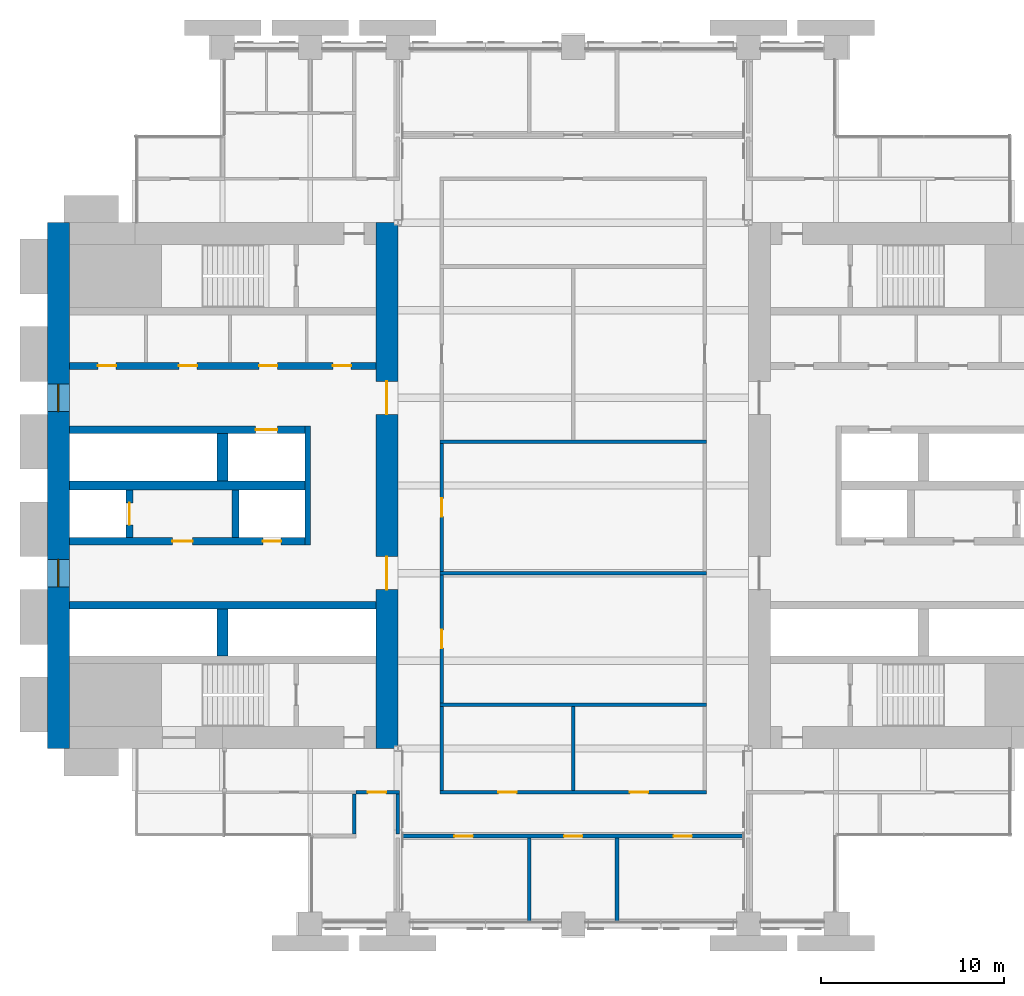
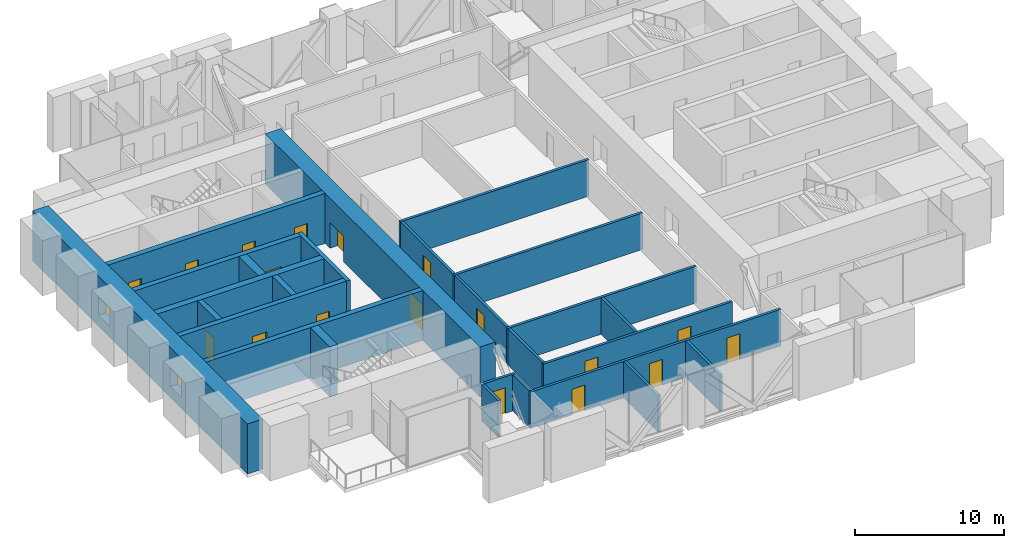
# One storey, part 11 of 15: 26 walls, 18 doors, 2 windows, 20 openings.
"""IFC4 building model written with IfcOpenShell, lengths in metres."""

from ifc_helpers import new_model, si_unit, direction, frame, frame_2d, origin, place, context, subcontext, project, spatial, rectangle, extrude, material, layer, layer_set, type_object, element, fill, save


model = new_model("IFC4")

# Units and contexts
model_context = context("Model", 3, precision=1e-05, world=origin(), true_north=direction((0.0, 1.0)))
body_context = subcontext(model_context, "Body", "Model", "MODEL_VIEW")
ifc_project = project(units=[si_unit("LENGTHUNIT", "METRE"), si_unit("AREAUNIT", "SQUARE_METRE"), si_unit("VOLUMEUNIT", "CUBIC_METRE"), si_unit("PLANEANGLEUNIT", "RADIAN"), si_unit("MASSUNIT", "GRAM", prefix="KILO")], contexts=[model_context])

# Site, building, storey
site_placement = place(None, origin())
site = spatial("IfcSite", under=ifc_project, at=site_placement, CompositionType="ELEMENT")
building_placement = place(site_placement, origin())
building = spatial("IfcBuilding", under=site, at=building_placement, Name="Baori Bourse Tower", CompositionType="ELEMENT")
storey_placement = place(building_placement, frame((0.0, 0.0, 87.0)))
storey = spatial("IfcBuildingStorey", under=building, at=storey_placement, Name="L19", CompositionType="ELEMENT", Elevation=87.0)

# Wall, openings, windows
ifc_material_1 = material(Name="Concrete f'c 70 MPa", Category="concrete")
ifc_layer_1 = layer(ifc_material_1, 1.199951171875)
ifc_layer_set_1 = layer_set([ifc_layer_1], Name="Core wall 1200 f'c 70")
wall_type_1 = type_object("IfcWallType", Name="Core wall 1200 f'c 70", PredefinedType="SHEAR", material=ifc_layer_set_1)
wall_1_placement = place(storey_placement, frame((0.60009765625, 9.60009765625, 0.0), z_axis=(0.0, 0.0, 1.0), x_axis=(0.0, 1.0, 0.0)))
wall_1 = element("IfcWall", 1, at=wall_1_placement, inside=storey, type_object=wall_type_1, Name="Core wall W01", PredefinedType="SHEAR", context=body_context, shape_type="SweptSolid", body=[
    extrude(rectangle(XDim=28.7998046875, YDim=1.199951171875, at=frame_2d((14.39990234375, 0.0))), origin(), (0.0, 0.0, 1.0), 4.10009765625),
])
opening_1_placement = place(wall_1_placement, frame((8.85009765625, 0.0, 0.89990234375)))
opening_1 = element("IfcOpeningElement", 2, at=opening_1_placement, cuts=wall_1, Name="Opening L19-KW101", PredefinedType="OPENING", context=body_context, shape_type="SweptSolid", body=[
    extrude(rectangle(XDim=1.5, YDim=1.5, at=frame_2d((0.75, 0.75))), frame((0.0, 0.60986328125, 0.0), z_axis=(0.0, -1.0, 0.0), x_axis=(1.0, 0.0, 0.0)), (0.0, 0.0, 1.0), 1.219970703125),
])
opening_2_placement = place(wall_1_placement, frame((18.449951171875, 0.0, 0.89990234375)))
opening_2 = element("IfcOpeningElement", 3, at=opening_2_placement, cuts=wall_1, Name="Opening L19-KW102", PredefinedType="OPENING", context=body_context, shape_type="SweptSolid", body=[
    extrude(rectangle(XDim=1.5, YDim=1.5, at=frame_2d((0.75, 0.75))), frame((0.0, 0.60986328125, 0.0), z_axis=(0.0, -1.0, 0.0), x_axis=(1.0, 0.0, 0.0)), (0.0, 0.0, 1.0), 1.219970703125),
])
ifc_material_2 = material(Name="Pale anodised aluminium", Category="aluminium")
window_type = type_object("IfcWindowType", Name="Lobby window 1500 x 1500", PartitioningType="SINGLE_PANEL", PredefinedType="WINDOW", material=ifc_material_2)
window_1_placement = place(opening_1_placement, origin())
window_1 = element("IfcWindow", 4, at=window_1_placement, inside=storey, type_object=window_type, Name="Outer wall window W L19 1", OverallHeight=1.5, OverallWidth=1.5, PartitioningType="SINGLE_PANEL", PredefinedType="WINDOW", context=body_context, shape_type="SweptSolid", body=[
    extrude(rectangle(XDim=1.5, YDim=1.5, at=frame_2d((0.75, 0.75))), frame((0.0, 0.030029296875, 0.0), z_axis=(0.0, -1.0, 0.0), x_axis=(1.0, 0.0, 0.0)), (0.0, 0.0, 1.0), 0.06005859375),
])
fill(opening_1, window_1)
window_2_placement = place(opening_2_placement, origin())
window_2 = element("IfcWindow", 5, at=window_2_placement, inside=storey, type_object=window_type, Name="Outer wall window W L19 2", OverallHeight=1.5, OverallWidth=1.5, PartitioningType="SINGLE_PANEL", PredefinedType="WINDOW", context=body_context, shape_type="SweptSolid", body=[
    extrude(rectangle(XDim=1.5, YDim=1.5, at=frame_2d((0.75, 0.75))), frame((0.0, 0.030029296875, 0.0), z_axis=(0.0, -1.0, 0.0), x_axis=(1.0, 0.0, 0.0)), (0.0, 0.0, 1.0), 0.06005859375),
])
fill(opening_2, window_2)

# Wall, openings, doors
wall_2_placement = place(storey_placement, frame((18.60009765625, 38.39990234375, 0.0), z_axis=(0.0, 0.0, 1.0), x_axis=(0.0, -1.0, 0.0)))
wall_2 = element("IfcWall", 6, at=wall_2_placement, inside=storey, type_object=wall_type_1, Name="Core wall W04", PredefinedType="SHEAR", context=body_context, shape_type="SweptSolid", body=[
    extrude(rectangle(XDim=28.7998046875, YDim=1.199951171875, at=frame_2d((14.39990234375, 0.0))), origin(), (0.0, 0.0, 1.0), 4.10009765625),
])
opening_3_placement = place(wall_2_placement, frame((18.300048828125, 0.0, 0.0)))
opening_3 = element("IfcOpeningElement", 7, at=opening_3_placement, cuts=wall_2, Name="Opening L19-D107", PredefinedType="OPENING", context=body_context, shape_type="SweptSolid", body=[
    extrude(rectangle(XDim=1.800048828125, YDim=2.10009765625, at=frame_2d((0.89990234375, 1.050048828125))), frame((0.0, 0.60986328125, 0.0), z_axis=(0.0, -1.0, 0.0), x_axis=(1.0, 0.0, 0.0)), (0.0, 0.0, 1.0), 1.219970703125),
])
opening_4_placement = place(wall_2_placement, frame((8.699951171875, 0.0, 0.0)))
opening_4 = element("IfcOpeningElement", 8, at=opening_4_placement, cuts=wall_2, Name="Opening L19-D108", PredefinedType="OPENING", context=body_context, shape_type="SweptSolid", body=[
    extrude(rectangle(XDim=1.800048828125, YDim=2.10009765625, at=frame_2d((0.89990234375, 1.050048828125))), frame((0.0, 0.60986328125, 0.0), z_axis=(0.0, -1.0, 0.0), x_axis=(1.0, 0.0, 0.0)), (0.0, 0.0, 1.0), 1.219970703125),
])
ifc_material_3 = material(Name="Painted steel door", Category="steel")
door_type_1 = type_object("IfcDoorType", Name="Core lobby door 1800", OperationType="DOUBLE_DOOR_SINGLE_SWING", PredefinedType="DOOR", material=ifc_material_3)
door_1_placement = place(opening_3_placement, origin())
door_1 = element("IfcDoor", 9, at=door_1_placement, inside=storey, type_object=door_type_1, Name="Lobby door W L19", OperationType="DOUBLE_DOOR_SINGLE_SWING", OverallHeight=2.10009765625, OverallWidth=1.800048828125, PredefinedType="DOOR", context=body_context, shape_type="SweptSolid", body=[
    extrude(rectangle(XDim=1.800048828125, YDim=2.10009765625, at=frame_2d((0.89990234375, 1.050048828125))), frame((0.0, 0.02490234375, 0.0), z_axis=(0.0, -1.0, 0.0), x_axis=(1.0, 0.0, 0.0)), (0.0, 0.0, 1.0), 0.050048828125),
])
fill(opening_3, door_1)
door_2_placement = place(opening_4_placement, origin())
door_2 = element("IfcDoor", 10, at=door_2_placement, inside=storey, type_object=door_type_1, Name="Lobby door W L19", OperationType="DOUBLE_DOOR_SINGLE_SWING", OverallHeight=2.10009765625, OverallWidth=1.800048828125, PredefinedType="DOOR", context=body_context, shape_type="SweptSolid", body=[
    extrude(rectangle(XDim=1.800048828125, YDim=2.10009765625, at=frame_2d((0.89990234375, 1.050048828125))), frame((0.0, 0.02490234375, 0.0), z_axis=(0.0, -1.0, 0.0), x_axis=(1.0, 0.0, 0.0)), (0.0, 0.0, 1.0), 0.050048828125),
])
fill(opening_4, door_2)

ifc_material_4 = material(Name="Gypsum board partition")
ifc_layer_2 = layer(ifc_material_4, 0.199951171875)
ifc_layer_set_2 = layer_set([ifc_layer_2], Name="Plant room wall 200")
wall_type_2 = type_object("IfcWallType", Name="Plant room wall 200", PredefinedType="PARTITIONING", material=ifc_layer_set_2)
wall_3_placement = place(storey_placement, frame((19.10009765625, 4.800048828125, 0.0), z_axis=(0.0, 0.0, 1.0), x_axis=(1.0, 0.0, 0.0)))
wall_3 = element("IfcWall", 11, at=wall_3_placement, inside=storey, type_object=wall_type_2, Name="Partition", PredefinedType="PARTITIONING", context=body_context, shape_type="SweptSolid", body=[
    extrude(rectangle(XDim=19.39990234375, YDim=0.199951171875, at=frame_2d((9.699951171875, 0.0))), origin(), (0.0, 0.0, 1.0), 2.99267578125),
])
opening_5_placement = place(wall_3_placement, frame((3.199951171875, 0.0, 0.0)))
opening_5 = element("IfcOpeningElement", 12, at=opening_5_placement, cuts=wall_3, Name="Opening L19-D01", PredefinedType="OPENING", context=body_context, shape_type="SweptSolid", body=[
    extrude(rectangle(XDim=1.0, YDim=2.10009765625, at=frame_2d((0.5, 1.050048828125))), frame((0.0, 0.10986328125, 0.0), z_axis=(0.0, -1.0, 0.0), x_axis=(1.0, 0.0, 0.0)), (0.0, 0.0, 1.0), 0.219970703125),
])
opening_6_placement = place(wall_3_placement, frame((9.199951171875, 0.0, 0.0)))
opening_6 = element("IfcOpeningElement", 13, at=opening_6_placement, cuts=wall_3, Name="Opening L19-D02", PredefinedType="OPENING", context=body_context, shape_type="SweptSolid", body=[
    extrude(rectangle(XDim=1.0, YDim=2.10009765625, at=frame_2d((0.5, 1.050048828125))), frame((0.0, 0.10986328125, 0.0), z_axis=(0.0, -1.0, 0.0), x_axis=(1.0, 0.0, 0.0)), (0.0, 0.0, 1.0), 0.219970703125),
])
opening_7_placement = place(wall_3_placement, frame((15.199951171875, 0.0, 0.0)))
opening_7 = element("IfcOpeningElement", 14, at=opening_7_placement, cuts=wall_3, Name="Opening L19-D03", PredefinedType="OPENING", context=body_context, shape_type="SweptSolid", body=[
    extrude(rectangle(XDim=1.0, YDim=2.10009765625, at=frame_2d((0.5, 1.050048828125))), frame((0.0, 0.10986328125, 0.0), z_axis=(0.0, -1.0, 0.0), x_axis=(1.0, 0.0, 0.0)), (0.0, 0.0, 1.0), 0.219970703125),
])
ifc_material_5 = material(Name="Timber door leaf", Category="wood")
door_type_2 = type_object("IfcDoorType", Name="Door 1000 x 2100", OperationType="SINGLE_SWING_LEFT", PredefinedType="DOOR", material=ifc_material_5)
door_3_placement = place(opening_5_placement, origin())
door_3 = element("IfcDoor", 15, at=door_3_placement, inside=storey, type_object=door_type_2, Name="Door", OperationType="SINGLE_SWING_LEFT", OverallHeight=2.10009765625, OverallWidth=1.0, PredefinedType="DOOR", context=body_context, shape_type="SweptSolid", body=[
    extrude(rectangle(XDim=1.0, YDim=2.10009765625, at=frame_2d((0.5, 1.050048828125))), frame((0.0, 0.02490234375, 0.0), z_axis=(0.0, -1.0, 0.0), x_axis=(1.0, 0.0, 0.0)), (0.0, 0.0, 1.0), 0.050048828125),
])
fill(opening_5, door_3)
door_4_placement = place(opening_6_placement, origin())
door_4 = element("IfcDoor", 16, at=door_4_placement, inside=storey, type_object=door_type_2, Name="Door", OperationType="SINGLE_SWING_LEFT", OverallHeight=2.10009765625, OverallWidth=1.0, PredefinedType="DOOR", context=body_context, shape_type="SweptSolid", body=[
    extrude(rectangle(XDim=1.0, YDim=2.10009765625, at=frame_2d((0.5, 1.050048828125))), frame((0.0, 0.02490234375, 0.0), z_axis=(0.0, -1.0, 0.0), x_axis=(1.0, 0.0, 0.0)), (0.0, 0.0, 1.0), 0.050048828125),
])
fill(opening_6, door_4)
door_5_placement = place(opening_7_placement, origin())
door_5 = element("IfcDoor", 17, at=door_5_placement, inside=storey, type_object=door_type_2, Name="Door", OperationType="SINGLE_SWING_RIGHT", OverallHeight=2.10009765625, OverallWidth=1.0, PredefinedType="DOOR", context=body_context, shape_type="SweptSolid", body=[
    extrude(rectangle(XDim=1.0, YDim=2.10009765625, at=frame_2d((0.5, 1.050048828125))), frame((0.0, 0.02490234375, 0.0), z_axis=(0.0, -1.0, 0.0), x_axis=(1.0, 0.0, 0.0)), (0.0, 0.0, 1.0), 0.050048828125),
])
fill(opening_7, door_5)

# Wall, opening, door
wall_4_placement = place(storey_placement, frame((16.89990234375, 7.199951171875, 0.0), z_axis=(0.0, 0.0, 1.0), x_axis=(1.0, 0.0, 0.0)))
wall_4 = element("IfcWall", 18, at=wall_4_placement, inside=storey, type_object=wall_type_2, Name="Partition", PredefinedType="PARTITIONING", context=body_context, shape_type="SweptSolid", body=[
    extrude(rectangle(XDim=2.400146484375, YDim=0.199951171875, at=frame_2d((1.2001953125, 0.0))), origin(), (0.0, 0.0, 1.0), 2.99267578125),
])
opening_8_placement = place(wall_4_placement, frame((0.64990234375, 0.0, 0.0)))
opening_8 = element("IfcOpeningElement", 19, at=opening_8_placement, cuts=wall_4, Name="Opening L19-D05", PredefinedType="OPENING", context=body_context, shape_type="SweptSolid", body=[
    extrude(rectangle(XDim=1.0, YDim=2.10009765625, at=frame_2d((0.5, 1.050048828125))), frame((0.0, 0.10986328125, 0.0), z_axis=(0.0, -1.0, 0.0), x_axis=(1.0, 0.0, 0.0)), (0.0, 0.0, 1.0), 0.219970703125),
])
door_6_placement = place(opening_8_placement, origin())
door_6 = element("IfcDoor", 20, at=door_6_placement, inside=storey, type_object=door_type_2, Name="Door", OperationType="SINGLE_SWING_LEFT", OverallHeight=2.10009765625, OverallWidth=1.0, PredefinedType="DOOR", context=body_context, shape_type="SweptSolid", body=[
    extrude(rectangle(XDim=1.0, YDim=2.10009765625, at=frame_2d((0.5, 1.050048828125))), frame((0.0, 0.02490234375, 0.0), z_axis=(0.0, -1.0, 0.0), x_axis=(1.0, 0.0, 0.0)), (0.0, 0.0, 1.0), 0.050048828125),
])
fill(opening_8, door_6)

# Wall, openings, doors
wall_5_placement = place(storey_placement, frame((21.5, 7.199951171875, 0.0), z_axis=(0.0, 0.0, 1.0), x_axis=(1.0, 0.0, 0.0)))
wall_5 = element("IfcWall", 21, at=wall_5_placement, inside=storey, type_object=wall_type_2, Name="Partition", PredefinedType="PARTITIONING", context=body_context, shape_type="SweptSolid", body=[
    extrude(rectangle(XDim=14.60009765625, YDim=0.199951171875, at=frame_2d((7.300048828125, 0.0))), origin(), (0.0, 0.0, 1.0), 2.99267578125),
])
opening_9_placement = place(wall_5_placement, frame((3.199951171875, 0.0, 0.0)))
opening_9 = element("IfcOpeningElement", 22, at=opening_9_placement, cuts=wall_5, Name="Opening L19-D06", PredefinedType="OPENING", context=body_context, shape_type="SweptSolid", body=[
    extrude(rectangle(XDim=1.0, YDim=2.10009765625, at=frame_2d((0.5, 1.050048828125))), frame((0.0, 0.10986328125, 0.0), z_axis=(0.0, -1.0, 0.0), x_axis=(1.0, 0.0, 0.0)), (0.0, 0.0, 1.0), 0.219970703125),
])
opening_10_placement = place(wall_5_placement, frame((10.39990234375, 0.0, 0.0)))
opening_10 = element("IfcOpeningElement", 23, at=opening_10_placement, cuts=wall_5, Name="Opening L19-D07", PredefinedType="OPENING", context=body_context, shape_type="SweptSolid", body=[
    extrude(rectangle(XDim=1.0, YDim=2.10009765625, at=frame_2d((0.5, 1.050048828125))), frame((0.0, 0.10986328125, 0.0), z_axis=(0.0, -1.0, 0.0), x_axis=(1.0, 0.0, 0.0)), (0.0, 0.0, 1.0), 0.219970703125),
])
door_7_placement = place(opening_9_placement, origin())
door_7 = element("IfcDoor", 24, at=door_7_placement, inside=storey, type_object=door_type_2, Name="Door", OperationType="SINGLE_SWING_RIGHT", OverallHeight=2.10009765625, OverallWidth=1.0, PredefinedType="DOOR", context=body_context, shape_type="SweptSolid", body=[
    extrude(rectangle(XDim=1.0, YDim=2.10009765625, at=frame_2d((0.5, 1.050048828125))), frame((0.0, 0.02490234375, 0.0), z_axis=(0.0, -1.0, 0.0), x_axis=(1.0, 0.0, 0.0)), (0.0, 0.0, 1.0), 0.050048828125),
])
fill(opening_9, door_7)
door_8_placement = place(opening_10_placement, origin())
door_8 = element("IfcDoor", 25, at=door_8_placement, inside=storey, type_object=door_type_2, Name="Door", OperationType="SINGLE_SWING_LEFT", OverallHeight=2.10009765625, OverallWidth=1.0, PredefinedType="DOOR", context=body_context, shape_type="SweptSolid", body=[
    extrude(rectangle(XDim=1.0, YDim=2.10009765625, at=frame_2d((0.5, 1.050048828125))), frame((0.0, 0.02490234375, 0.0), z_axis=(0.0, -1.0, 0.0), x_axis=(1.0, 0.0, 0.0)), (0.0, 0.0, 1.0), 0.050048828125),
])
fill(opening_10, door_8)

# Walls
for number, where, z_axis, x_axis, name in (
    (26, (21.5, 12.0, 0.0), (0.0, 0.0, 1.0), (1.0, 0.0, 0.0), "Partition"),
    (27, (21.5, 19.199951171875, 0.0), (0.0, 0.0, 1.0), (1.0, 0.0, 0.0), "Partition"),
    (28, (21.5, 26.39990234375, 0.0), (0.0, 0.0, 1.0), (1.0, 0.0, 0.0), "Partition"),
):
    element("IfcWall", number, at=place(storey_placement, frame(where, z_axis=z_axis, x_axis=x_axis)), inside=storey, type_object=wall_type_2, Name=name, PredefinedType="PARTITIONING", context=body_context, shape_type="SweptSolid", body=[
        extrude(rectangle(XDim=14.60009765625, YDim=0.199951171875, at=frame_2d((7.300048828125, 0.0))), origin(), (0.0, 0.0, 1.0), 2.99267578125),
    ])
for number, where, z_axis, x_axis, name in (
    (29, (16.800048828125, 4.89990234375, 0.0), (0.0, 0.0, 1.0), (0.0, 1.0, 0.0), "Partition"),
    (30, (19.199951171875, 4.89990234375, 0.0), (0.0, 0.0, 1.0), (0.0, 1.0, 0.0), "Partition"),
):
    element("IfcWall", number, at=place(storey_placement, frame(where, z_axis=z_axis, x_axis=x_axis)), inside=storey, type_object=wall_type_2, Name=name, PredefinedType="PARTITIONING", context=body_context, shape_type="SweptSolid", body=[
        extrude(rectangle(XDim=2.2001953125, YDim=0.199951171875, at=frame_2d((1.10009765625, 0.0))), origin(), (0.0, 0.0, 1.0), 2.99267578125),
    ])
wall_6_placement = place(storey_placement, frame((21.60009765625, 7.300048828125, 0.0), z_axis=(0.0, 0.0, 1.0), x_axis=(0.0, 1.0, 0.0)))
element("IfcWall", 31, at=wall_6_placement, inside=storey, type_object=wall_type_2, Name="Partition", PredefinedType="PARTITIONING", context=body_context, shape_type="SweptSolid", body=[
    extrude(rectangle(XDim=4.599853515625, YDim=0.199951171875, at=frame_2d((2.2998046875, 0.0))), origin(), (0.0, 0.0, 1.0), 2.99267578125),
])

# Wall, opening, door
wall_7_placement = place(storey_placement, frame((21.60009765625, 12.10009765625, 0.0), z_axis=(0.0, 0.0, 1.0), x_axis=(0.0, 1.0, 0.0)))
wall_7 = element("IfcWall", 32, at=wall_7_placement, inside=storey, type_object=wall_type_2, Name="Partition", PredefinedType="PARTITIONING", context=body_context, shape_type="SweptSolid", body=[
    extrude(rectangle(XDim=7.0, YDim=0.199951171875, at=frame_2d((3.5, 0.0))), origin(), (0.0, 0.0, 1.0), 2.99267578125),
])
opening_11_placement = place(wall_7_placement, frame((3.0, 0.0, 0.0)))
opening_11 = element("IfcOpeningElement", 33, at=opening_11_placement, cuts=wall_7, Name="Opening L19-D22", PredefinedType="OPENING", context=body_context, shape_type="SweptSolid", body=[
    extrude(rectangle(XDim=1.0, YDim=2.10009765625, at=frame_2d((0.5, 1.050048828125))), frame((0.0, 0.10986328125, 0.0), z_axis=(0.0, -1.0, 0.0), x_axis=(1.0, 0.0, 0.0)), (0.0, 0.0, 1.0), 0.219970703125),
])
door_9_placement = place(opening_11_placement, origin())
door_9 = element("IfcDoor", 34, at=door_9_placement, inside=storey, type_object=door_type_2, Name="Door", OperationType="SINGLE_SWING_LEFT", OverallHeight=2.10009765625, OverallWidth=1.0, PredefinedType="DOOR", context=body_context, shape_type="SweptSolid", body=[
    extrude(rectangle(XDim=1.0, YDim=2.10009765625, at=frame_2d((0.5, 1.050048828125))), frame((0.0, 0.02490234375, 0.0), z_axis=(0.0, -1.0, 0.0), x_axis=(1.0, 0.0, 0.0)), (0.0, 0.0, 1.0), 0.050048828125),
])
fill(opening_11, door_9)

wall_8_placement = place(storey_placement, frame((21.60009765625, 19.300048828125, 0.0), z_axis=(0.0, 0.0, 1.0), x_axis=(0.0, 1.0, 0.0)))
wall_8 = element("IfcWall", 35, at=wall_8_placement, inside=storey, type_object=wall_type_2, Name="Partition", PredefinedType="PARTITIONING", context=body_context, shape_type="SweptSolid", body=[
    extrude(rectangle(XDim=7.0, YDim=0.199951171875, at=frame_2d((3.5, 0.0))), origin(), (0.0, 0.0, 1.0), 2.99267578125),
])
opening_12_placement = place(wall_8_placement, frame((3.0, 0.0, 0.0)))
opening_12 = element("IfcOpeningElement", 36, at=opening_12_placement, cuts=wall_8, Name="Opening L19-D23", PredefinedType="OPENING", context=body_context, shape_type="SweptSolid", body=[
    extrude(rectangle(XDim=1.0, YDim=2.10009765625, at=frame_2d((0.5, 1.050048828125))), frame((0.0, 0.10986328125, 0.0), z_axis=(0.0, -1.0, 0.0), x_axis=(1.0, 0.0, 0.0)), (0.0, 0.0, 1.0), 0.219970703125),
])
door_10_placement = place(opening_12_placement, origin())
door_10 = element("IfcDoor", 37, at=door_10_placement, inside=storey, type_object=door_type_2, Name="Door", OperationType="SINGLE_SWING_LEFT", OverallHeight=2.10009765625, OverallWidth=1.0, PredefinedType="DOOR", context=body_context, shape_type="SweptSolid", body=[
    extrude(rectangle(XDim=1.0, YDim=2.10009765625, at=frame_2d((0.5, 1.050048828125))), frame((0.0, 0.02490234375, 0.0), z_axis=(0.0, -1.0, 0.0), x_axis=(1.0, 0.0, 0.0)), (0.0, 0.0, 1.0), 0.050048828125),
])
fill(opening_12, door_10)

# Walls
for number, where, z_axis, x_axis, name in (
    (38, (26.39990234375, 0.10009765625, 0.0), (0.0, 0.0, 1.0), (0.0, 1.0, 0.0), "Partition"),
    (39, (28.800048828125, 7.300048828125, 0.0), (0.0, 0.0, 1.0), (0.0, 1.0, 0.0), "Partition"),
    (40, (31.199951171875, 0.10009765625, 0.0), (0.0, 0.0, 1.0), (0.0, 1.0, 0.0), "Partition"),
):
    element("IfcWall", number, at=place(storey_placement, frame(where, z_axis=z_axis, x_axis=x_axis)), inside=storey, type_object=wall_type_2, Name=name, PredefinedType="PARTITIONING", context=body_context, shape_type="SweptSolid", body=[
        extrude(rectangle(XDim=4.599853515625, YDim=0.199951171875, at=frame_2d((2.2998046875, 0.0))), origin(), (0.0, 0.0, 1.0), 2.99267578125),
    ])
ifc_material_6 = material(Name="Concrete f'c 70 MPa", Category="concrete")
ifc_layer_3 = layer(ifc_material_6, 0.300048828125)
ifc_layer_set_3 = layer_set([ifc_layer_3], Name="Shaft wall 300 f'c 70")
wall_type_3 = type_object("IfcWallType", Name="Shaft wall 300 f'c 70", PredefinedType="SHEAR", material=ifc_layer_set_3)
wall_9_placement = place(storey_placement, frame((14.25, 20.75, 0.0), z_axis=(0.0, 0.0, 1.0), x_axis=(0.0, 1.0, 0.0)))
element("IfcWall", 41, at=wall_9_placement, inside=storey, type_object=wall_type_3, Name="Core wall W11", PredefinedType="SHEAR", context=body_context, shape_type="SweptSolid", body=[
    extrude(rectangle(XDim=6.5, YDim=0.300048828125, at=frame_2d((3.25, 0.0))), origin(), (0.0, 0.0, 1.0), 4.10009765625),
])
ifc_material_7 = material(Name="Concrete f'c 70 MPa", Category="concrete")
ifc_layer_4 = layer(ifc_material_7, 0.39990234375)
ifc_layer_set_4 = layer_set([ifc_layer_4], Name="Shaft wall 400 f'c 70")
wall_type_4 = type_object("IfcWallType", Name="Shaft wall 400 f'c 70", PredefinedType="SHEAR", material=ifc_layer_set_4)
wall_10_placement = place(storey_placement, frame((1.199951171875, 17.449951171875, 0.0), z_axis=(0.0, 0.0, 1.0), x_axis=(1.0, 0.0, 0.0)))
element("IfcWall", 42, at=wall_10_placement, inside=storey, type_object=wall_type_4, Name="Core wall W09", PredefinedType="SHEAR", context=body_context, shape_type="SweptSolid", body=[
    extrude(rectangle(XDim=16.800048828125, YDim=0.39990234375, at=frame_2d((8.39990234375, 0.0))), origin(), (0.0, 0.0, 1.0), 4.10009765625),
])

# Wall, openings, doors
wall_11_placement = place(storey_placement, frame((1.199951171875, 20.949951171875, 0.0), z_axis=(0.0, 0.0, 1.0), x_axis=(1.0, 0.0, 0.0)))
wall_11 = element("IfcWall", 43, at=wall_11_placement, inside=storey, type_object=wall_type_4, Name="Core wall W10", PredefinedType="SHEAR", context=body_context, shape_type="SweptSolid", body=[
    extrude(rectangle(XDim=12.900146484375, YDim=0.39990234375, at=frame_2d((6.4501953125, 0.0))), origin(), (0.0, 0.0, 1.0), 4.10009765625),
])
opening_13_placement = place(wall_11_placement, frame((5.64990234375, 0.0, 0.0)))
opening_13 = element("IfcOpeningElement", 44, at=opening_13_placement, cuts=wall_11, Name="Opening L19-D105", PredefinedType="OPENING", context=body_context, shape_type="SweptSolid", body=[
    extrude(rectangle(XDim=1.10009765625, YDim=2.10009765625, at=frame_2d((0.550048828125, 1.050048828125))), frame((0.0, 0.2099609375, 0.0), z_axis=(0.0, -1.0, 0.0), x_axis=(1.0, 0.0, 0.0)), (0.0, 0.0, 1.0), 0.419921875),
])
opening_14_placement = place(wall_11_placement, frame((10.60009765625, 0.0, 0.0)))
opening_14 = element("IfcOpeningElement", 45, at=opening_14_placement, cuts=wall_11, Name="Opening L19-D106", PredefinedType="OPENING", context=body_context, shape_type="SweptSolid", body=[
    extrude(rectangle(XDim=1.0, YDim=2.10009765625, at=frame_2d((0.5, 1.050048828125))), frame((0.0, 0.2099609375, 0.0), z_axis=(0.0, -1.0, 0.0), x_axis=(1.0, 0.0, 0.0)), (0.0, 0.0, 1.0), 0.419921875),
])
ifc_material_8 = material(Name="Painted steel door", Category="steel")
door_type_3 = type_object("IfcDoorType", Name="Lobby door 1100", OperationType="SINGLE_SWING_LEFT", PredefinedType="DOOR", material=ifc_material_8)
door_11_placement = place(opening_13_placement, origin())
door_11 = element("IfcDoor", 46, at=door_11_placement, inside=storey, type_object=door_type_3, Name="Firefighting lobby door W L19", OperationType="SINGLE_SWING_LEFT", OverallHeight=2.10009765625, OverallWidth=1.10009765625, PredefinedType="DOOR", context=body_context, shape_type="SweptSolid", body=[
    extrude(rectangle(XDim=1.10009765625, YDim=2.10009765625, at=frame_2d((0.550048828125, 1.050048828125))), frame((0.0, 0.02490234375, 0.0), z_axis=(0.0, -1.0, 0.0), x_axis=(1.0, 0.0, 0.0)), (0.0, 0.0, 1.0), 0.050048828125),
])
fill(opening_13, door_11)
ifc_material_9 = material(Name="Painted steel door", Category="steel")
door_type_4 = type_object("IfcDoorType", Name="Shaft door 1000", OperationType="SINGLE_SWING_LEFT", PredefinedType="DOOR", material=ifc_material_9)
door_12_placement = place(opening_14_placement, origin())
door_12 = element("IfcDoor", 47, at=door_12_placement, inside=storey, type_object=door_type_4, Name="Riser room door W L19", OperationType="SINGLE_SWING_LEFT", OverallHeight=2.10009765625, OverallWidth=1.0, PredefinedType="DOOR", context=body_context, shape_type="SweptSolid", body=[
    extrude(rectangle(XDim=1.0, YDim=2.10009765625, at=frame_2d((0.5, 1.050048828125))), frame((0.0, 0.02490234375, 0.0), z_axis=(0.0, -1.0, 0.0), x_axis=(1.0, 0.0, 0.0)), (0.0, 0.0, 1.0), 0.050048828125),
])
fill(opening_14, door_12)

# Wall, opening, door
wall_12_placement = place(storey_placement, frame((4.5, 21.14990234375, 0.0), z_axis=(0.0, 0.0, 1.0), x_axis=(0.0, 1.0, 0.0)))
wall_12 = element("IfcWall", 48, at=wall_12_placement, inside=storey, type_object=wall_type_4, Name="Core wall W12", PredefinedType="SHEAR", context=body_context, shape_type="SweptSolid", body=[
    extrude(rectangle(XDim=2.60009765625, YDim=0.39990234375, at=frame_2d((1.300048828125, 0.0))), origin(), (0.0, 0.0, 1.0), 4.10009765625),
])
opening_15_placement = place(wall_12_placement, frame((0.699951171875, 0.0, 0.0)))
opening_15 = element("IfcOpeningElement", 49, at=opening_15_placement, cuts=wall_12, Name="Opening L19-D114", PredefinedType="OPENING", context=body_context, shape_type="SweptSolid", body=[
    extrude(rectangle(XDim=1.199951171875, YDim=2.10009765625, at=frame_2d((0.60009765625, 1.050048828125))), frame((0.0, 0.2099609375, 0.0), z_axis=(0.0, -1.0, 0.0), x_axis=(1.0, 0.0, 0.0)), (0.0, 0.0, 1.0), 0.419921875),
])
ifc_material_10 = material(Name="Stainless steel door", Category="steel")
door_type_5 = type_object("IfcDoorType", Name="Lift landing door", OperationType="DOUBLE_DOOR_SLIDING", PredefinedType="DOOR", material=ifc_material_10)
door_13_placement = place(opening_15_placement, origin())
door_13 = element("IfcDoor", 50, at=door_13_placement, inside=storey, type_object=door_type_5, Name="Lift landing door FF1 W L19", OperationType="DOUBLE_DOOR_SLIDING", OverallHeight=2.10009765625, OverallWidth=1.199951171875, PredefinedType="DOOR", context=body_context, shape_type="SweptSolid", body=[
    extrude(rectangle(XDim=1.199951171875, YDim=2.10009765625, at=frame_2d((0.60009765625, 1.050048828125))), frame((0.0, 0.02490234375, 0.0), z_axis=(0.0, -1.0, 0.0), x_axis=(1.0, 0.0, 0.0)), (0.0, 0.0, 1.0), 0.050048828125),
])
fill(opening_15, door_13)

# Wall
wall_13_placement = place(storey_placement, frame((10.300048828125, 21.14990234375, 0.0), z_axis=(0.0, 0.0, 1.0), x_axis=(0.0, 1.0, 0.0)))
element("IfcWall", 51, at=wall_13_placement, inside=storey, type_object=wall_type_4, Name="Core wall W13", PredefinedType="SHEAR", context=body_context, shape_type="SweptSolid", body=[
    extrude(rectangle(XDim=2.60009765625, YDim=0.39990234375, at=frame_2d((1.300048828125, 0.0))), origin(), (0.0, 0.0, 1.0), 4.10009765625),
])

# Wall, opening, door
wall_14_placement = place(storey_placement, frame((1.199951171875, 27.050048828125, 0.0), z_axis=(0.0, 0.0, 1.0), x_axis=(1.0, 0.0, 0.0)))
wall_14 = element("IfcWall", 52, at=wall_14_placement, inside=storey, type_object=wall_type_4, Name="Core wall W16", PredefinedType="SHEAR", context=body_context, shape_type="SweptSolid", body=[
    extrude(rectangle(XDim=12.900146484375, YDim=0.39990234375, at=frame_2d((6.4501953125, 0.0))), origin(), (0.0, 0.0, 1.0), 4.10009765625),
])
opening_16_placement = place(wall_14_placement, frame((10.199951171875, 0.0, 0.0)))
opening_16 = element("IfcOpeningElement", 53, at=opening_16_placement, cuts=wall_14, Name="Opening L19-D113", PredefinedType="OPENING", context=body_context, shape_type="SweptSolid", body=[
    extrude(rectangle(XDim=1.199951171875, YDim=2.10009765625, at=frame_2d((0.60009765625, 1.050048828125))), frame((0.0, 0.2099609375, 0.0), z_axis=(0.0, -1.0, 0.0), x_axis=(1.0, 0.0, 0.0)), (0.0, 0.0, 1.0), 0.419921875),
])
door_14_placement = place(opening_16_placement, origin())
door_14 = element("IfcDoor", 54, at=door_14_placement, inside=storey, type_object=door_type_5, Name="Lift landing door SV1 W L19", OperationType="DOUBLE_DOOR_SLIDING", OverallHeight=2.10009765625, OverallWidth=1.199951171875, PredefinedType="DOOR", context=body_context, shape_type="SweptSolid", body=[
    extrude(rectangle(XDim=1.199951171875, YDim=2.10009765625, at=frame_2d((0.60009765625, 1.050048828125))), frame((0.0, 0.02490234375, 0.0), z_axis=(0.0, -1.0, 0.0), x_axis=(1.0, 0.0, 0.0)), (0.0, 0.0, 1.0), 0.050048828125),
])
fill(opening_16, door_14)

# Wall, openings, doors
wall_15_placement = place(storey_placement, frame((1.199951171875, 30.550048828125, 0.0), z_axis=(0.0, 0.0, 1.0), x_axis=(1.0, 0.0, 0.0)))
wall_15 = element("IfcWall", 55, at=wall_15_placement, inside=storey, type_object=wall_type_4, Name="Core wall W17", PredefinedType="SHEAR", context=body_context, shape_type="SweptSolid", body=[
    extrude(rectangle(XDim=16.800048828125, YDim=0.39990234375, at=frame_2d((8.39990234375, 0.0))), origin(), (0.0, 0.0, 1.0), 4.10009765625),
])
opening_17_placement = place(wall_15_placement, frame((1.5625, 0.0, 0.0)))
opening_17 = element("IfcOpeningElement", 56, at=opening_17_placement, cuts=wall_15, Name="Opening L19-D109", PredefinedType="OPENING", context=body_context, shape_type="SweptSolid", body=[
    extrude(rectangle(XDim=1.0, YDim=2.10009765625, at=frame_2d((0.5, 1.050048828125))), frame((0.0, 0.2099609375, 0.0), z_axis=(0.0, -1.0, 0.0), x_axis=(1.0, 0.0, 0.0)), (0.0, 0.0, 1.0), 0.419921875),
])
opening_18_placement = place(wall_15_placement, frame((6.0, 0.0, 0.0)))
opening_18 = element("IfcOpeningElement", 57, at=opening_18_placement, cuts=wall_15, Name="Opening L19-D110", PredefinedType="OPENING", context=body_context, shape_type="SweptSolid", body=[
    extrude(rectangle(XDim=1.0, YDim=2.10009765625, at=frame_2d((0.5, 1.050048828125))), frame((0.0, 0.2099609375, 0.0), z_axis=(0.0, -1.0, 0.0), x_axis=(1.0, 0.0, 0.0)), (0.0, 0.0, 1.0), 0.419921875),
])
opening_19_placement = place(wall_15_placement, frame((10.39990234375, 0.0, 0.0)))
opening_19 = element("IfcOpeningElement", 58, at=opening_19_placement, cuts=wall_15, Name="Opening L19-D111", PredefinedType="OPENING", context=body_context, shape_type="SweptSolid", body=[
    extrude(rectangle(XDim=1.0, YDim=2.10009765625, at=frame_2d((0.5, 1.050048828125))), frame((0.0, 0.2099609375, 0.0), z_axis=(0.0, -1.0, 0.0), x_axis=(1.0, 0.0, 0.0)), (0.0, 0.0, 1.0), 0.419921875),
])
opening_20_placement = place(wall_15_placement, frame((14.4375, 0.0, 0.0)))
opening_20 = element("IfcOpeningElement", 59, at=opening_20_placement, cuts=wall_15, Name="Opening L19-D112", PredefinedType="OPENING", context=body_context, shape_type="SweptSolid", body=[
    extrude(rectangle(XDim=1.0, YDim=2.10009765625, at=frame_2d((0.5, 1.050048828125))), frame((0.0, 0.2099609375, 0.0), z_axis=(0.0, -1.0, 0.0), x_axis=(1.0, 0.0, 0.0)), (0.0, 0.0, 1.0), 0.419921875),
])
ifc_material_11 = material(Name="Painted steel door", Category="steel")
door_type_6 = type_object("IfcDoorType", Name="Core door 1000", OperationType="SINGLE_SWING_LEFT", PredefinedType="DOOR", material=ifc_material_11)
door_15_placement = place(opening_19_placement, origin())
door_15 = element("IfcDoor", 60, at=door_15_placement, inside=storey, type_object=door_type_6, Name="Plant Floor Refuge Room door W L19", OperationType="SINGLE_SWING_LEFT", OverallHeight=2.10009765625, OverallWidth=1.0, PredefinedType="DOOR", context=body_context, shape_type="SweptSolid", body=[
    extrude(rectangle(XDim=1.0, YDim=2.10009765625, at=frame_2d((0.5, 1.050048828125))), frame((0.0, 0.02490234375, 0.0), z_axis=(0.0, -1.0, 0.0), x_axis=(1.0, 0.0, 0.0)), (0.0, 0.0, 1.0), 0.050048828125),
])
fill(opening_19, door_15)
ifc_material_12 = material(Name="Painted steel door", Category="steel")
door_type_7 = type_object("IfcDoorType", Name="Plant room door 1000", OperationType="SINGLE_SWING_LEFT", PredefinedType="DOOR", material=ifc_material_12)
door_16_placement = place(opening_17_placement, origin())
door_16 = element("IfcDoor", 61, at=door_16_placement, inside=storey, type_object=door_type_7, Name="Electrical Room door W L19", OperationType="SINGLE_SWING_LEFT", OverallHeight=2.10009765625, OverallWidth=1.0, PredefinedType="DOOR", context=body_context, shape_type="SweptSolid", body=[
    extrude(rectangle(XDim=1.0, YDim=2.10009765625, at=frame_2d((0.5, 1.050048828125))), frame((0.0, 0.02490234375, 0.0), z_axis=(0.0, -1.0, 0.0), x_axis=(1.0, 0.0, 0.0)), (0.0, 0.0, 1.0), 0.050048828125),
])
fill(opening_17, door_16)
door_17_placement = place(opening_18_placement, origin())
door_17 = element("IfcDoor", 62, at=door_17_placement, inside=storey, type_object=door_type_7, Name="Mechanical Room door W L19", OperationType="SINGLE_SWING_LEFT", OverallHeight=2.10009765625, OverallWidth=1.0, PredefinedType="DOOR", context=body_context, shape_type="SweptSolid", body=[
    extrude(rectangle(XDim=1.0, YDim=2.10009765625, at=frame_2d((0.5, 1.050048828125))), frame((0.0, 0.02490234375, 0.0), z_axis=(0.0, -1.0, 0.0), x_axis=(1.0, 0.0, 0.0)), (0.0, 0.0, 1.0), 0.050048828125),
])
fill(opening_18, door_17)
door_18_placement = place(opening_20_placement, origin())
door_18 = element("IfcDoor", 63, at=door_18_placement, inside=storey, type_object=door_type_7, Name="Communications Room door W L19", OperationType="SINGLE_SWING_LEFT", OverallHeight=2.10009765625, OverallWidth=1.0, PredefinedType="DOOR", context=body_context, shape_type="SweptSolid", body=[
    extrude(rectangle(XDim=1.0, YDim=2.10009765625, at=frame_2d((0.5, 1.050048828125))), frame((0.0, 0.02490234375, 0.0), z_axis=(0.0, -1.0, 0.0), x_axis=(1.0, 0.0, 0.0)), (0.0, 0.0, 1.0), 0.050048828125),
])
fill(opening_20, door_18)

# Walls
ifc_material_13 = material(Name="Concrete f'c 70 MPa", Category="concrete")
ifc_layer_5 = layer(ifc_material_13, 0.5)
ifc_layer_set_5 = layer_set([ifc_layer_5], Name="Shaft wall 500 f'c 70")
wall_type_5 = type_object("IfcWallType", Name="Shaft wall 500 f'c 70", PredefinedType="SHEAR", material=ifc_layer_set_5)
wall_16_placement = place(storey_placement, frame((1.199951171875, 24.0, 0.0), z_axis=(0.0, 0.0, 1.0), x_axis=(1.0, 0.0, 0.0)))
element("IfcWall", 64, at=wall_16_placement, inside=storey, type_object=wall_type_5, Name="Core wall W14", PredefinedType="SHEAR", context=body_context, shape_type="SweptSolid", body=[
    extrude(rectangle(XDim=12.900146484375, YDim=0.5, at=frame_2d((6.4501953125, 0.0))), origin(), (0.0, 0.0, 1.0), 4.10009765625),
])
ifc_material_14 = material(Name="Concrete f'c 70 MPa", Category="concrete")
ifc_layer_6 = layer(ifc_material_14, 0.60009765625)
ifc_layer_set_6 = layer_set([ifc_layer_6], Name="Shaft wall 600 f'c 70")
wall_type_6 = type_object("IfcWallType", Name="Shaft wall 600 f'c 70", PredefinedType="SHEAR", material=ifc_layer_set_6)
for number, where, z_axis, x_axis, name in (
    (65, (9.60009765625, 14.64990234375, 0.0), (0.0, 0.0, 1.0), (0.0, 1.0, 0.0), "Core wall W08"),
    (66, (9.60009765625, 24.25, 0.0), (0.0, 0.0, 1.0), (0.0, 1.0, 0.0), "Core wall W15"),
):
    element("IfcWall", number, at=place(storey_placement, frame(where, z_axis=z_axis, x_axis=x_axis)), inside=storey, type_object=wall_type_6, Name=name, PredefinedType="SHEAR", context=body_context, shape_type="SweptSolid", body=[
        extrude(rectangle(XDim=2.60009765625, YDim=0.60009765625, at=frame_2d((1.300048828125, 0.0))), origin(), (0.0, 0.0, 1.0), 4.10009765625),
    ])

save(model, "model.ifc")
